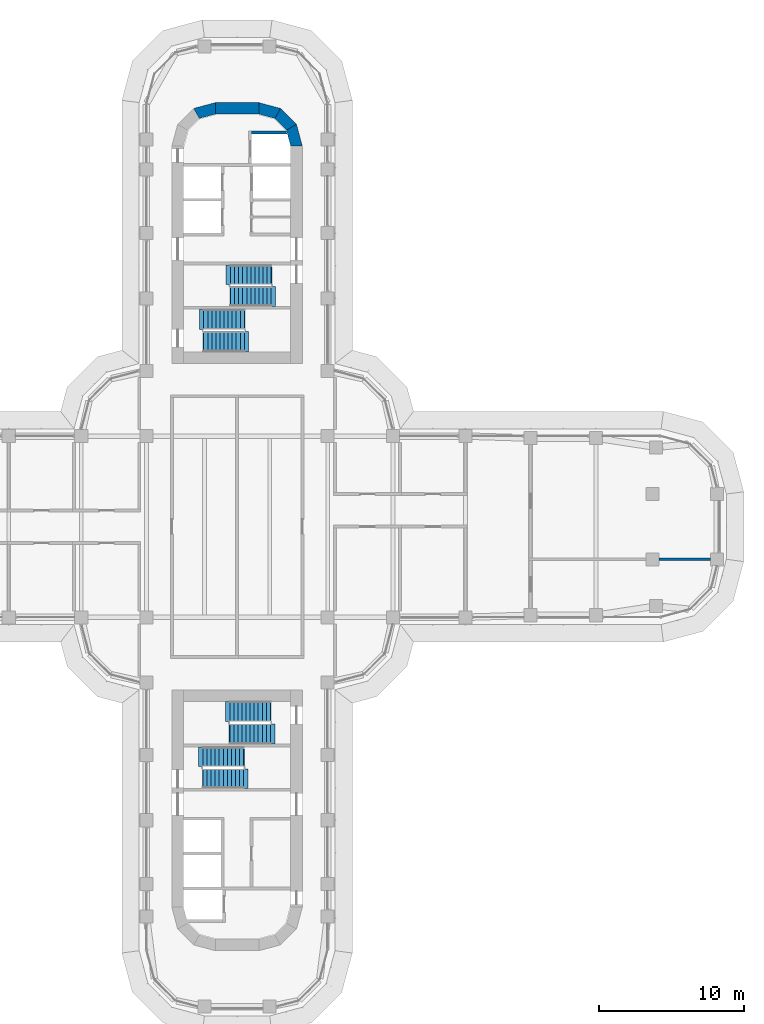
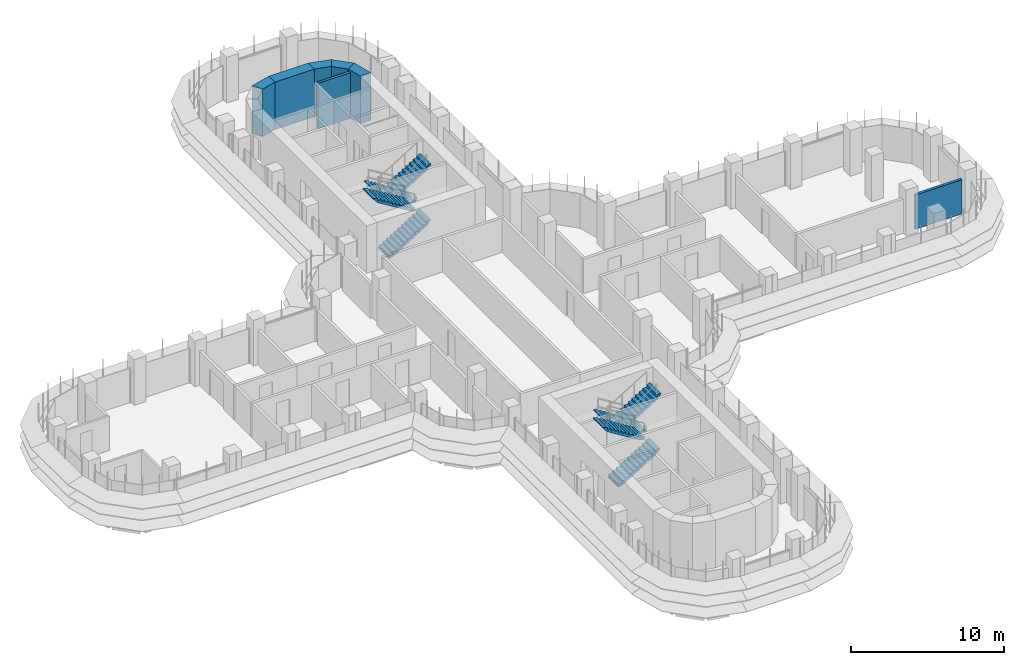
# One storey, part 19 of 23: 8 stair flights, 7 walls, 4 elements without a shape of their own.
"""IFC4 building model written with IfcOpenShell, lengths in metres."""

from ifc_helpers import new_model, si_unit, direction, frame, frame_2d, origin, place, context, subcontext, project, spatial, polyline, rectangle, outline, extrude, material, layer, layer_set, type_object, element, aggregate, save


model = new_model("IFC4")

# Units and contexts
model_context = context("Model", 3, precision=1e-05, world=origin(), true_north=direction((0.0, 1.0)))
body_context = subcontext(model_context, "Body", "Model", "MODEL_VIEW")
ifc_project = project(units=[si_unit("LENGTHUNIT", "METRE"), si_unit("AREAUNIT", "SQUARE_METRE"), si_unit("VOLUMEUNIT", "CUBIC_METRE"), si_unit("PLANEANGLEUNIT", "RADIAN"), si_unit("MASSUNIT", "GRAM", prefix="KILO")], contexts=[model_context])

# Site, building, storey
site_placement = place(None, origin())
site = spatial("IfcSite", under=ifc_project, at=site_placement, CompositionType="ELEMENT")
building_placement = place(site_placement, origin())
building = spatial("IfcBuilding", under=site, at=building_placement, Name="Zarbagh Exchange Tower", CompositionType="ELEMENT")
storey_placement = place(building_placement, frame((0.0, 0.0, 90.39990234375)))
storey = spatial("IfcBuildingStorey", under=building, at=storey_placement, Name="L20", CompositionType="ELEMENT", Elevation=90.39990234375)

# Walls
ifc_material_1 = material(Name="Fire-rated plasterboard partition")
ifc_layer_1 = layer(ifc_material_1, 0.199951171875)
ifc_layer_set_1 = layer_set([ifc_layer_1], Name="RATED PARTITION 200")
wall_type_1 = type_object("IfcWallType", Name="RATED PARTITION 200", PredefinedType="PARTITIONING", material=ifc_layer_set_1)
wall_1_placement = place(storey_placement, frame((29.1201171875, -2.25, 0.0), z_axis=(0.0, 0.0, 1.0), x_axis=(1.0, 0.0, 0.0)))
element("IfcWall", 1, at=wall_1_placement, inside=storey, type_object=wall_type_1, Name="Partition W-627", PredefinedType="PARTITIONING", context=body_context, shape_type="SweptSolid", body=[
    extrude(rectangle(XDim=3.539794921875, YDim=0.199951171875, at=frame_2d((1.77001953125, 0.0))), origin(), (0.0, 0.0, 1.0), 2.73828125),
])
ifc_material_2 = material(Name="Concrete C60/75", Category="concrete")
ifc_layer_2 = layer(ifc_material_2, 0.800048828125)
ifc_layer_set_2 = layer_set([ifc_layer_2], Name="RC core corner wall 800 C60/75")
wall_type_2 = type_object("IfcWallType", Name="RC core corner wall 800 C60/75", PredefinedType="SHEAR", material=ifc_layer_set_2)
wall_2_placement = place(storey_placement, origin())
element("IfcWall", 2, at=wall_2_placement, inside=storey, type_object=wall_type_2, Name="CW4 core N corner W", PredefinedType="SHEAR", context=body_context, shape_type="SweptSolid", body=[
    extrude(outline(polyline([(-3.0, 28.84814453125), (-1.5, 29.25), (-1.5, 28.449951171875), (-2.60009765625, 28.1552734375), (-3.0, 28.84814453125)])), origin(), (0.0, 0.0, 1.0), 3.800048828125),
])
wall_3_placement = place(storey_placement, origin())
element("IfcWall", 3, at=wall_3_placement, inside=storey, type_object=wall_type_2, Name="CW4 core N corner E", PredefinedType="SHEAR", context=body_context, shape_type="SweptSolid", body=[
    extrude(outline(polyline([(4.5, 26.25), (4.09814453125, 27.75), (3.4052734375, 27.35009765625), (3.699951171875, 26.25), (4.5, 26.25)])), origin(), (0.0, 0.0, 1.0), 3.800048828125),
])
wall_4_placement = place(storey_placement, origin())
element("IfcWall", 4, at=wall_4_placement, inside=storey, type_object=wall_type_2, Name="CW4 core N corner E", PredefinedType="SHEAR", context=body_context, shape_type="SweptSolid", body=[
    extrude(outline(polyline([(4.09814453125, 27.75), (3.0, 28.84814453125), (2.60009765625, 28.1552734375), (3.4052734375, 27.35009765625), (4.09814453125, 27.75)])), origin(), (0.0, 0.0, 1.0), 3.800048828125),
])
wall_5_placement = place(storey_placement, origin())
element("IfcWall", 5, at=wall_5_placement, inside=storey, type_object=wall_type_2, Name="CW4 core N corner E", PredefinedType="SHEAR", context=body_context, shape_type="SweptSolid", body=[
    extrude(outline(polyline([(3.0, 28.84814453125), (1.5, 29.25), (1.5, 28.449951171875), (2.60009765625, 28.1552734375), (3.0, 28.84814453125)])), origin(), (0.0, 0.0, 1.0), 3.800048828125),
])
ifc_layer_3 = layer(ifc_material_2, 0.800048828125)
ifc_layer_set_3 = layer_set([ifc_layer_3], Name="RC core wall 800 C60/75")
wall_type_3 = type_object("IfcWallType", Name="RC core wall 800 C60/75", PredefinedType="SHEAR", material=ifc_layer_set_3)
wall_6_placement = place(storey_placement, frame((-1.5, 28.85009765625, 0.0), z_axis=(0.0, 0.0, 1.0), x_axis=(1.0, 0.0, 0.0)))
element("IfcWall", 6, at=wall_6_placement, inside=storey, type_object=wall_type_3, Name="CW3 core N outer end", PredefinedType="SHEAR", context=body_context, shape_type="SweptSolid", body=[
    extrude(rectangle(XDim=3.0, YDim=0.800048828125, at=frame_2d((1.5, 0.0))), origin(), (0.0, 0.0, 1.0), 3.800048828125),
])
ifc_material_3 = material(Name="Concrete C40/50", Category="concrete")
ifc_layer_4 = layer(ifc_material_3, 0.199951171875)
ifc_layer_set_4 = layer_set([ifc_layer_4], Name="Stair enclosure wall 200 mm RC C40/50")
wall_type_4 = type_object("IfcWallType", Name="Stair enclosure wall 200 mm RC C40/50", PredefinedType="SHEAR", material=ifc_layer_set_4)
wall_7_placement = place(storey_placement, origin())
element("IfcWall", 7, at=wall_7_placement, inside=storey, type_object=wall_type_4, Name="North core lift shaft wall FFX", PredefinedType="SHEAR", context=body_context, shape_type="SweptSolid", body=[
    extrude(outline(polyline([(1.0, 27.10009765625), (3.444091796875, 27.10009765625), (3.390380859375, 27.300048828125), (1.0, 27.300048828125), (1.0, 27.10009765625)])), origin(), (0.0, 0.0, 1.0), 3.650146484375),
])

# Stair, stair flights
stair_type = type_object("IfcStairType", Name="Exit stair two-flight half-turn", PredefinedType="HALF_TURN_STAIR", material=ifc_material_3)
stair_1_placement = place(storey_placement, origin())
stair_1 = element("IfcStair", 8, at=stair_1_placement, inside=storey, type_object=stair_type, Name="exit stair ST1", PredefinedType="HALF_TURN_STAIR")
stair_flight_type_1 = type_object("IfcStairFlightType", Name="Stair flight 1350 mm", PredefinedType="STRAIGHT", material=ifc_material_3)
stair_flight_1_placement = place(storey_placement, frame((2.35009765625, 17.375, 0.0), z_axis=(0.0, 0.0, 1.0), x_axis=(-1.0, 0.0, 0.0)))
stair_flight_1 = element("IfcStairFlight", 9, at=stair_flight_1_placement, type_object=stair_flight_type_1, Name="ST1 flight 1", NumberOfRisers=11, NumberOfTreads=10, PredefinedType="STRAIGHT", RiserHeight=0.172727273, TreadLength=0.28, context=body_context, shape_type="SweptSolid", body=[
    extrude(outline(polyline([(-0.050048828125, -0.050048828125), (-0.050048828125, 0.0), (0.0, 0.0), (0.0, 0.172607421875), (0.280029296875, 0.172607421875), (0.280029296875, 0.345458984375), (0.56005859375, 0.345458984375), (0.56005859375, 0.51806640625), (0.840087890625, 0.51806640625), (0.840087890625, 0.69091796875), (1.1201171875, 0.69091796875), (1.1201171875, 0.863525390625), (1.39990234375, 0.863525390625), (1.39990234375, 1.036376953125), (1.679931640625, 1.036376953125), (1.679931640625, 1.208984375), (1.9599609375, 1.208984375), (1.9599609375, 1.3818359375), (2.239990234375, 1.3818359375), (2.239990234375, 1.554443359375), (2.52001953125, 1.554443359375), (2.52001953125, 1.727294921875), (2.800048828125, 1.727294921875), (2.800048828125, 1.89990234375), (3.10009765625, 1.97998046875), (3.10009765625, 1.89990234375), (2.800048828125, 1.551025390625), (0.285400390625, 0.0), (-0.050048828125, -0.050048828125)])), frame((0.0, 0.675048828125, 0.0), z_axis=(0.0, -1.0, 0.0), x_axis=(1.0, 0.0, 0.0)), (0.0, 0.0, 1.0), 1.35009765625),
])
stair_flight_2_placement = place(storey_placement, frame((-0.449951171875, 15.875, 1.900146484375), z_axis=(0.0, 0.0, 1.0), x_axis=(1.0, 0.0, 0.0)))
stair_flight_2 = element("IfcStairFlight", 10, at=stair_flight_2_placement, type_object=stair_flight_type_1, Name="ST1 flight 2", NumberOfRisers=11, NumberOfTreads=10, PredefinedType="STRAIGHT", RiserHeight=0.172727273, TreadLength=0.28, context=body_context, shape_type="SweptSolid", body=[
    extrude(outline(polyline([(-0.050048828125, -0.050048828125), (-0.050048828125, 0.0), (0.0, 0.0), (0.0, 0.172607421875), (0.280029296875, 0.172607421875), (0.280029296875, 0.345458984375), (0.56005859375, 0.345458984375), (0.56005859375, 0.51806640625), (0.840087890625, 0.51806640625), (0.840087890625, 0.69091796875), (1.1201171875, 0.69091796875), (1.1201171875, 0.863525390625), (1.39990234375, 0.863525390625), (1.39990234375, 1.036376953125), (1.679931640625, 1.036376953125), (1.679931640625, 1.208984375), (1.9599609375, 1.208984375), (1.9599609375, 1.3818359375), (2.239990234375, 1.3818359375), (2.239990234375, 1.554443359375), (2.52001953125, 1.554443359375), (2.52001953125, 1.727294921875), (2.800048828125, 1.727294921875), (2.800048828125, 1.89990234375), (3.10009765625, 1.97998046875), (3.10009765625, 1.89990234375), (2.800048828125, 1.551025390625), (0.285400390625, 0.0), (-0.050048828125, -0.050048828125)])), frame((0.0, 0.675048828125, 0.0), z_axis=(0.0, -1.0, 0.0), x_axis=(1.0, 0.0, 0.0)), (0.0, 0.0, 1.0), 1.35009765625),
])
aggregate(stair_1, [stair_flight_1, stair_flight_2])

stair_2_placement = place(storey_placement, origin())
stair_2 = element("IfcStair", 11, at=stair_2_placement, inside=storey, type_object=stair_type, Name="exit stair ST3", PredefinedType="HALF_TURN_STAIR")
stair_flight_3_placement = place(storey_placement, frame((-2.35009765625, -17.375, 0.0), z_axis=(0.0, 0.0, 1.0), x_axis=(1.0, 0.0, 0.0)))
stair_flight_3 = element("IfcStairFlight", 12, at=stair_flight_3_placement, type_object=stair_flight_type_1, Name="ST3 flight 1", NumberOfRisers=11, NumberOfTreads=10, PredefinedType="STRAIGHT", RiserHeight=0.172727273, TreadLength=0.28, context=body_context, shape_type="SweptSolid", body=[
    extrude(outline(polyline([(-0.050048828125, -0.050048828125), (-0.050048828125, 0.0), (0.0, 0.0), (0.0, 0.172607421875), (0.280029296875, 0.172607421875), (0.280029296875, 0.345458984375), (0.56005859375, 0.345458984375), (0.56005859375, 0.51806640625), (0.840087890625, 0.51806640625), (0.840087890625, 0.69091796875), (1.1201171875, 0.69091796875), (1.1201171875, 0.863525390625), (1.39990234375, 0.863525390625), (1.39990234375, 1.036376953125), (1.679931640625, 1.036376953125), (1.679931640625, 1.208984375), (1.9599609375, 1.208984375), (1.9599609375, 1.3818359375), (2.239990234375, 1.3818359375), (2.239990234375, 1.554443359375), (2.52001953125, 1.554443359375), (2.52001953125, 1.727294921875), (2.800048828125, 1.727294921875), (2.800048828125, 1.89990234375), (3.10009765625, 1.97998046875), (3.10009765625, 1.89990234375), (2.800048828125, 1.551025390625), (0.285400390625, 0.0), (-0.050048828125, -0.050048828125)])), frame((0.0, 0.675048828125, 0.0), z_axis=(0.0, -1.0, 0.0), x_axis=(1.0, 0.0, 0.0)), (0.0, 0.0, 1.0), 1.35009765625),
])
stair_flight_4_placement = place(storey_placement, frame((0.449951171875, -15.875, 1.900146484375), z_axis=(0.0, 0.0, 1.0), x_axis=(-1.0, 0.0, 0.0)))
stair_flight_4 = element("IfcStairFlight", 13, at=stair_flight_4_placement, type_object=stair_flight_type_1, Name="ST3 flight 2", NumberOfRisers=11, NumberOfTreads=10, PredefinedType="STRAIGHT", RiserHeight=0.172727273, TreadLength=0.28, context=body_context, shape_type="SweptSolid", body=[
    extrude(outline(polyline([(-0.050048828125, -0.050048828125), (-0.050048828125, 0.0), (0.0, 0.0), (0.0, 0.172607421875), (0.280029296875, 0.172607421875), (0.280029296875, 0.345458984375), (0.56005859375, 0.345458984375), (0.56005859375, 0.51806640625), (0.840087890625, 0.51806640625), (0.840087890625, 0.69091796875), (1.1201171875, 0.69091796875), (1.1201171875, 0.863525390625), (1.39990234375, 0.863525390625), (1.39990234375, 1.036376953125), (1.679931640625, 1.036376953125), (1.679931640625, 1.208984375), (1.9599609375, 1.208984375), (1.9599609375, 1.3818359375), (2.239990234375, 1.3818359375), (2.239990234375, 1.554443359375), (2.52001953125, 1.554443359375), (2.52001953125, 1.727294921875), (2.800048828125, 1.727294921875), (2.800048828125, 1.89990234375), (3.10009765625, 1.97998046875), (3.10009765625, 1.89990234375), (2.800048828125, 1.551025390625), (0.285400390625, 0.0), (-0.050048828125, -0.050048828125)])), frame((0.0, 0.675048828125, 0.0), z_axis=(0.0, -1.0, 0.0), x_axis=(1.0, 0.0, 0.0)), (0.0, 0.0, 1.0), 1.35009765625),
])
aggregate(stair_2, [stair_flight_3, stair_flight_4])

stair_3_placement = place(storey_placement, origin())
stair_3 = element("IfcStair", 14, at=stair_3_placement, inside=storey, type_object=stair_type, Name="exit stair ST2", PredefinedType="HALF_TURN_STAIR")
stair_flight_type_2 = type_object("IfcStairFlightType", Name="Stair flight 1400 mm", PredefinedType="STRAIGHT", material=ifc_material_3)
stair_flight_5_placement = place(storey_placement, frame((-2.300048828125, 12.75, 0.0), z_axis=(0.0, 0.0, 1.0), x_axis=(1.0, 0.0, 0.0)))
stair_flight_5 = element("IfcStairFlight", 15, at=stair_flight_5_placement, type_object=stair_flight_type_2, Name="ST2 flight 1", NumberOfRisers=11, NumberOfTreads=10, PredefinedType="STRAIGHT", RiserHeight=0.172727273, TreadLength=0.28, context=body_context, shape_type="SweptSolid", body=[
    extrude(outline(polyline([(-0.050048828125, -0.050048828125), (-0.050048828125, 0.0), (0.0, 0.0), (0.0, 0.172607421875), (0.280029296875, 0.172607421875), (0.280029296875, 0.345458984375), (0.56005859375, 0.345458984375), (0.56005859375, 0.51806640625), (0.840087890625, 0.51806640625), (0.840087890625, 0.69091796875), (1.1201171875, 0.69091796875), (1.1201171875, 0.863525390625), (1.39990234375, 0.863525390625), (1.39990234375, 1.036376953125), (1.679931640625, 1.036376953125), (1.679931640625, 1.208984375), (1.9599609375, 1.208984375), (1.9599609375, 1.3818359375), (2.239990234375, 1.3818359375), (2.239990234375, 1.554443359375), (2.52001953125, 1.554443359375), (2.52001953125, 1.727294921875), (2.800048828125, 1.727294921875), (2.800048828125, 1.89990234375), (3.10009765625, 1.97998046875), (3.10009765625, 1.89990234375), (2.800048828125, 1.551025390625), (0.285400390625, 0.0), (-0.050048828125, -0.050048828125)])), frame((0.0, 0.699951171875, 0.0), z_axis=(0.0, -1.0, 0.0), x_axis=(1.0, 0.0, 0.0)), (0.0, 0.0, 1.0), 1.39990234375),
])
stair_flight_6_placement = place(storey_placement, frame((0.5, 14.300048828125, 1.900146484375), z_axis=(0.0, 0.0, 1.0), x_axis=(-1.0, 0.0, 0.0)))
stair_flight_6 = element("IfcStairFlight", 16, at=stair_flight_6_placement, type_object=stair_flight_type_2, Name="ST2 flight 2", NumberOfRisers=11, NumberOfTreads=10, PredefinedType="STRAIGHT", RiserHeight=0.172727273, TreadLength=0.28, context=body_context, shape_type="SweptSolid", body=[
    extrude(outline(polyline([(-0.050048828125, -0.050048828125), (-0.050048828125, 0.0), (0.0, 0.0), (0.0, 0.172607421875), (0.280029296875, 0.172607421875), (0.280029296875, 0.345458984375), (0.56005859375, 0.345458984375), (0.56005859375, 0.51806640625), (0.840087890625, 0.51806640625), (0.840087890625, 0.69091796875), (1.1201171875, 0.69091796875), (1.1201171875, 0.863525390625), (1.39990234375, 0.863525390625), (1.39990234375, 1.036376953125), (1.679931640625, 1.036376953125), (1.679931640625, 1.208984375), (1.9599609375, 1.208984375), (1.9599609375, 1.3818359375), (2.239990234375, 1.3818359375), (2.239990234375, 1.554443359375), (2.52001953125, 1.554443359375), (2.52001953125, 1.727294921875), (2.800048828125, 1.727294921875), (2.800048828125, 1.89990234375), (3.10009765625, 1.97998046875), (3.10009765625, 1.89990234375), (2.800048828125, 1.551025390625), (0.285400390625, 0.0), (-0.050048828125, -0.050048828125)])), frame((0.0, 0.699951171875, 0.0), z_axis=(0.0, -1.0, 0.0), x_axis=(1.0, 0.0, 0.0)), (0.0, 0.0, 1.0), 1.39990234375),
])
aggregate(stair_3, [stair_flight_5, stair_flight_6])

stair_4_placement = place(storey_placement, origin())
stair_4 = element("IfcStair", 17, at=stair_4_placement, inside=storey, type_object=stair_type, Name="exit stair ST4", PredefinedType="HALF_TURN_STAIR")
stair_flight_7_placement = place(storey_placement, frame((2.300048828125, -12.75, 0.0), z_axis=(0.0, 0.0, 1.0), x_axis=(-1.0, 0.0, 0.0)))
stair_flight_7 = element("IfcStairFlight", 18, at=stair_flight_7_placement, type_object=stair_flight_type_2, Name="ST4 flight 1", NumberOfRisers=11, NumberOfTreads=10, PredefinedType="STRAIGHT", RiserHeight=0.172727273, TreadLength=0.28, context=body_context, shape_type="SweptSolid", body=[
    extrude(outline(polyline([(-0.050048828125, -0.050048828125), (-0.050048828125, 0.0), (0.0, 0.0), (0.0, 0.172607421875), (0.280029296875, 0.172607421875), (0.280029296875, 0.345458984375), (0.56005859375, 0.345458984375), (0.56005859375, 0.51806640625), (0.840087890625, 0.51806640625), (0.840087890625, 0.69091796875), (1.1201171875, 0.69091796875), (1.1201171875, 0.863525390625), (1.39990234375, 0.863525390625), (1.39990234375, 1.036376953125), (1.679931640625, 1.036376953125), (1.679931640625, 1.208984375), (1.9599609375, 1.208984375), (1.9599609375, 1.3818359375), (2.239990234375, 1.3818359375), (2.239990234375, 1.554443359375), (2.52001953125, 1.554443359375), (2.52001953125, 1.727294921875), (2.800048828125, 1.727294921875), (2.800048828125, 1.89990234375), (3.10009765625, 1.97998046875), (3.10009765625, 1.89990234375), (2.800048828125, 1.551025390625), (0.285400390625, 0.0), (-0.050048828125, -0.050048828125)])), frame((0.0, 0.699951171875, 0.0), z_axis=(0.0, -1.0, 0.0), x_axis=(1.0, 0.0, 0.0)), (0.0, 0.0, 1.0), 1.39990234375),
])
stair_flight_8_placement = place(storey_placement, frame((-0.5, -14.300048828125, 1.900146484375), z_axis=(0.0, 0.0, 1.0), x_axis=(1.0, 0.0, 0.0)))
stair_flight_8 = element("IfcStairFlight", 19, at=stair_flight_8_placement, type_object=stair_flight_type_2, Name="ST4 flight 2", NumberOfRisers=11, NumberOfTreads=10, PredefinedType="STRAIGHT", RiserHeight=0.172727273, TreadLength=0.28, context=body_context, shape_type="SweptSolid", body=[
    extrude(outline(polyline([(-0.050048828125, -0.050048828125), (-0.050048828125, 0.0), (0.0, 0.0), (0.0, 0.172607421875), (0.280029296875, 0.172607421875), (0.280029296875, 0.345458984375), (0.56005859375, 0.345458984375), (0.56005859375, 0.51806640625), (0.840087890625, 0.51806640625), (0.840087890625, 0.69091796875), (1.1201171875, 0.69091796875), (1.1201171875, 0.863525390625), (1.39990234375, 0.863525390625), (1.39990234375, 1.036376953125), (1.679931640625, 1.036376953125), (1.679931640625, 1.208984375), (1.9599609375, 1.208984375), (1.9599609375, 1.3818359375), (2.239990234375, 1.3818359375), (2.239990234375, 1.554443359375), (2.52001953125, 1.554443359375), (2.52001953125, 1.727294921875), (2.800048828125, 1.727294921875), (2.800048828125, 1.89990234375), (3.10009765625, 1.97998046875), (3.10009765625, 1.89990234375), (2.800048828125, 1.551025390625), (0.285400390625, 0.0), (-0.050048828125, -0.050048828125)])), frame((0.0, 0.699951171875, 0.0), z_axis=(0.0, -1.0, 0.0), x_axis=(1.0, 0.0, 0.0)), (0.0, 0.0, 1.0), 1.39990234375),
])
aggregate(stair_4, [stair_flight_7, stair_flight_8])

save(model, "model.ifc")
